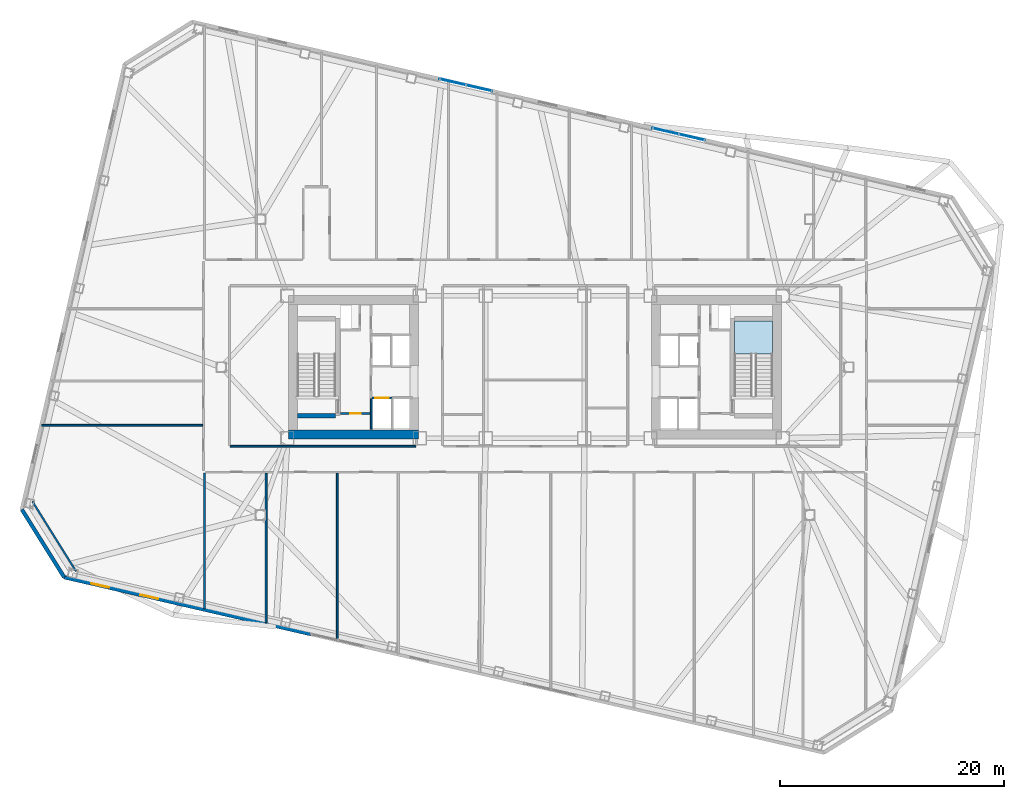
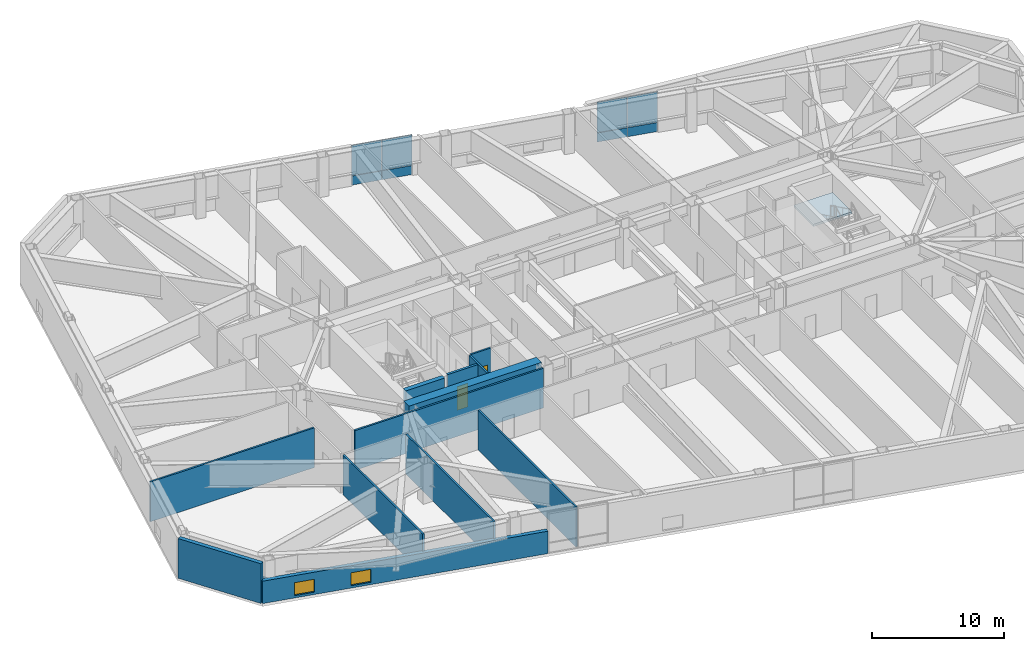
# One storey, part 9 of 19: 13 walls, 8 plates, 2 doors, 2 windows, 1 slab, 4 openings, 3 elements without a shape of their own.
"""IFC4 building model written with IfcOpenShell, lengths in metres."""

from ifc_helpers import new_model, si_unit, direction, frame, frame_2d, origin, origin_2d, place, context, subcontext, project, spatial, polyline, rectangle, outline, extrude, material, layer, layer_set, type_object, element, fill, aggregate, save


model = new_model("IFC4")

# Units and contexts
model_context = context("Model", 3, precision=1e-05, world=origin(), true_north=direction((0.0, 1.0)))
body_context = subcontext(model_context, "Body", "Model", "MODEL_VIEW")
ifc_project = project(units=[si_unit("LENGTHUNIT", "METRE"), si_unit("AREAUNIT", "SQUARE_METRE"), si_unit("VOLUMEUNIT", "CUBIC_METRE"), si_unit("PLANEANGLEUNIT", "RADIAN"), si_unit("MASSUNIT", "GRAM", prefix="KILO")], contexts=[model_context])

# Site, building, storey
site_placement = place(None, origin())
site = spatial("IfcSite", under=ifc_project, at=site_placement, CompositionType="ELEMENT")
building_placement = place(site_placement, origin())
building = spatial("IfcBuilding", under=site, at=building_placement, Name="Tavrogorsk Clinical Tower", CompositionType="ELEMENT")
storey_placement = place(building_placement, frame((0.0, 0.0, 79.39990234375)))
storey = spatial("IfcBuildingStorey", under=building, at=storey_placement, Name="L17", CompositionType="ELEMENT", Elevation=79.39990234375)

# Curtain wall, plates
ifc_material_1 = material(Name="Anodised aluminium and triple IGU glazing", Category="aluminium")
ifc_layer_1 = layer(ifc_material_1, 0.179931640625)
ifc_layer_set_1 = layer_set([ifc_layer_1], Name="Anodised aluminium and triple IGU glazing")
curtain_wall_type = type_object("IfcCurtainWallType", Name="CW2_NorthSlot", PredefinedType="NOTDEFINED", material=ifc_layer_set_1)
curtain_wall_1_placement = place(storey_placement, origin())
curtain_wall_1 = element("IfcCurtainWall", 1, at=curtain_wall_1_placement, inside=storey, type_object=curtain_wall_type, Name="L17 Curtain Wall CW-L17-N-SLOT-1", PredefinedType="NOTDEFINED")
ifc_material_2 = material(Name="Honed Podolsk limestone spandrel panel", Category="masonry")
ifc_layer_2 = layer(ifc_material_2, 0.080078125)
ifc_layer_set_2 = layer_set([ifc_layer_2], Name="Honed Podolsk limestone spandrel panel")
plate_type_1 = type_object("IfcPlateType", Name="CwSpandrelStonePanel_80", PredefinedType="CURTAIN_PANEL", material=ifc_layer_set_2)
plate_1_placement = place(storey_placement, frame((-5.001220703125, 24.8994140625, 0.002197265625), z_axis=(0.0, 0.0, 1.0), x_axis=(-0.974370102963, 0.224950888978, 0.0)))
plate_1 = element("IfcPlate", 2, at=plate_1_placement, type_object=plate_type_1, Name="CW-L17-N-SLOT-1 Stone Spandrel Panel 1", PredefinedType="CURTAIN_PANEL", context=body_context, shape_type="SweptSolid", body=[
    extrude(rectangle(XDim=2.39208984375, YDim=0.080078125, at=origin_2d()), origin(), (0.0, 0.0, 1.0), 0.8359375),
])
plate_2_placement = place(storey_placement, frame((-7.355224609375, 25.44287109375, 0.002197265625), z_axis=(0.0, 0.0, 1.0), x_axis=(-0.974370102963, 0.224950888978, 0.0)))
plate_2 = element("IfcPlate", 3, at=plate_2_placement, type_object=plate_type_1, Name="CW-L17-N-SLOT-1 Stone Spandrel Panel 2", PredefinedType="CURTAIN_PANEL", context=body_context, shape_type="SweptSolid", body=[
    extrude(rectangle(XDim=2.39208984375, YDim=0.080078125, at=origin_2d()), origin(), (0.0, 0.0, 1.0), 0.8359375),
])

curtain_wall_2_placement = place(storey_placement, origin())
curtain_wall_2 = element("IfcCurtainWall", 4, at=curtain_wall_2_placement, inside=storey, type_object=curtain_wall_type, Name="L17 Curtain Wall CW-L17-N-SLOT-2", PredefinedType="NOTDEFINED")
plate_3_placement = place(storey_placement, frame((13.996337890625, 20.513427734375, 0.002197265625), z_axis=(0.0, 0.0, 1.0), x_axis=(-0.974370046851, 0.224951132027, 0.0)))
plate_3 = element("IfcPlate", 5, at=plate_3_placement, type_object=plate_type_1, Name="CW-L17-N-SLOT-2 Stone Spandrel Panel 1", PredefinedType="CURTAIN_PANEL", context=body_context, shape_type="SweptSolid", body=[
    extrude(rectangle(XDim=2.39208984375, YDim=0.080078125, at=origin_2d()), origin(), (0.0, 0.0, 1.0), 0.8359375),
])
plate_4_placement = place(storey_placement, frame((11.642333984375, 21.05712890625, 0.002197265625), z_axis=(0.0, 0.0, 1.0), x_axis=(-0.974370046851, 0.224951132027, 0.0)))
plate_4 = element("IfcPlate", 6, at=plate_4_placement, type_object=plate_type_1, Name="CW-L17-N-SLOT-2 Stone Spandrel Panel 2", PredefinedType="CURTAIN_PANEL", context=body_context, shape_type="SweptSolid", body=[
    extrude(rectangle(XDim=2.39208984375, YDim=0.080078125, at=origin_2d()), origin(), (0.0, 0.0, 1.0), 0.8359375),
])

# Plate
ifc_material_3 = material(Name="Triple low-E argon insulated glass", Category="glass")
ifc_layer_3 = layer(ifc_material_3, 0.048095703125)
ifc_layer_set_3 = layer_set([ifc_layer_3], Name="Triple low-E argon insulated glass")
plate_type_2 = type_object("IfcPlateType", Name="CwVisionGlassPanel_48", PredefinedType="CURTAIN_PANEL", material=ifc_layer_set_3)
plate_5_placement = place(storey_placement, frame((-5.001220703125, 24.8994140625, 0.862060546875), z_axis=(0.0, 0.0, 1.0), x_axis=(-0.974370102963, 0.224950888978, 0.0)))
plate_5 = element("IfcPlate", 7, at=plate_5_placement, type_object=plate_type_2, Name="CW-L17-N-SLOT-1 Glazing Panel 1", PredefinedType="CURTAIN_PANEL", context=body_context, shape_type="SweptSolid", body=[
    extrude(rectangle(XDim=2.39208984375, YDim=0.048095703125, at=origin_2d()), origin(), (0.0, 0.0, 1.0), 2.81591796875),
])

plate_6_placement = place(storey_placement, frame((-7.355224609375, 25.44287109375, 0.862060546875), z_axis=(0.0, 0.0, 1.0), x_axis=(-0.974370102963, 0.224950888978, 0.0)))
plate_6 = element("IfcPlate", 8, at=plate_6_placement, type_object=plate_type_2, Name="CW-L17-N-SLOT-1 Glazing Panel 2", PredefinedType="CURTAIN_PANEL", context=body_context, shape_type="SweptSolid", body=[
    extrude(rectangle(XDim=2.39208984375, YDim=0.048095703125, at=origin_2d()), origin(), (0.0, 0.0, 1.0), 2.81591796875),
])

aggregate(curtain_wall_1, [plate_1, plate_5, plate_2, plate_6])

plate_7_placement = place(storey_placement, frame((13.996337890625, 20.513427734375, 0.862060546875), z_axis=(0.0, 0.0, 1.0), x_axis=(-0.974370046851, 0.224951132027, 0.0)))
plate_7 = element("IfcPlate", 9, at=plate_7_placement, type_object=plate_type_2, Name="CW-L17-N-SLOT-2 Glazing Panel 1", PredefinedType="CURTAIN_PANEL", context=body_context, shape_type="SweptSolid", body=[
    extrude(rectangle(XDim=2.39208984375, YDim=0.048095703125, at=origin_2d()), origin(), (0.0, 0.0, 1.0), 2.81591796875),
])

plate_8_placement = place(storey_placement, frame((11.642333984375, 21.05712890625, 0.862060546875), z_axis=(0.0, 0.0, 1.0), x_axis=(-0.974370046851, 0.224951132027, 0.0)))
plate_8 = element("IfcPlate", 10, at=plate_8_placement, type_object=plate_type_2, Name="CW-L17-N-SLOT-2 Glazing Panel 2", PredefinedType="CURTAIN_PANEL", context=body_context, shape_type="SweptSolid", body=[
    extrude(rectangle(XDim=2.39208984375, YDim=0.048095703125, at=origin_2d()), origin(), (0.0, 0.0, 1.0), 2.81591796875),
])

aggregate(curtain_wall_2, [plate_3, plate_7, plate_4, plate_8])

# Stair, slab
ifc_material_4 = material(Name="Concrete B60", Category="concrete")
stair_type = type_object("IfcStairType", Name="CoreStairAssembly", PredefinedType="HALF_TURN_STAIR", material=ifc_material_4)
stair_placement = place(storey_placement, origin())
stair = element("IfcStair", 11, at=stair_placement, inside=storey, type_object=stair_type, Name="L17 ST-E", PredefinedType="HALF_TURN_STAIR")
ifc_material_5 = material(Name="Concrete B60", Category="concrete")
ifc_layer_4 = layer(ifc_material_5, 0.199951171875)
ifc_layer_set_4 = layer_set([ifc_layer_4], Name="Concrete B60")
slab_type = type_object("IfcSlabType", Name="StairLanding_200", PredefinedType="LANDING", material=ifc_layer_set_4)
slab_placement = place(storey_placement, frame((0.0, 0.0, 1.800048828125)))
slab = element("IfcSlab", 12, at=slab_placement, type_object=slab_type, Name="ST-E landing 1", PredefinedType="LANDING", context=body_context, shape_type="SweptSolid", body=[
    extrude(outline(polyline([(21.199951171875, 1.1650390625), (21.199951171875, 4.125), (17.800048828125, 4.125), (17.800048828125, 1.1650390625), (21.199951171875, 1.1650390625)])), origin(), (0.0, 0.0, 1.0), 0.199951171875),
])
aggregate(stair, [slab])

# Wall, opening, door
ifc_material_6 = material(Name="Concrete B60", Category="concrete")
ifc_layer_5 = layer(ifc_material_6, 0.199951171875)
ifc_layer_set_5 = layer_set([ifc_layer_5], Name="Concrete B60")
wall_type_1 = type_object("IfcWallType", Name="CoreFireWall_200", PredefinedType="SOLIDWALL", material=ifc_layer_set_5)
wall_1_placement = place(storey_placement, frame((-17.3798828125, -4.139892578125, 0.0), z_axis=(0.0, 0.0, 1.0), x_axis=(1.0, 0.0, 0.0)))
wall_1 = element("IfcWall", 13, at=wall_1_placement, inside=storey, type_object=wall_type_1, Name="L17 Core West South Core Room Fire Wall", PredefinedType="SOLIDWALL", context=body_context, shape_type="SweptSolid", body=[
    extrude(rectangle(XDim=2.659912109375, YDim=0.199951171875, at=frame_2d((1.330078125, 0.0))), origin(), (0.0, 0.0, 1.0), 3.68017578125),
])
opening_1_placement = place(wall_1_placement, frame((0.8798828125, 0.0, 0.0)))
opening_1 = element("IfcOpeningElement", 14, at=opening_1_placement, cuts=wall_1, Name="Opening ID-02", PredefinedType="OPENING", context=body_context, shape_type="SweptSolid", body=[
    extrude(rectangle(XDim=0.949951171875, YDim=2.199951171875, at=frame_2d((0.47509765625, 1.10009765625))), frame((0.0, 0.10986328125, 0.0), z_axis=(0.0, -1.0, 0.0), x_axis=(1.0, 0.0, 0.0)), (0.0, 0.0, 1.0), 0.219970703125),
])
ifc_material_7 = material(Name="Laminated timber leaf on aluminium frame", Category="wood")
door_type_1 = type_object("IfcDoorType", Name="InteriorDoor_ID02_950", OperationType="NOTDEFINED", PredefinedType="DOOR", material=ifc_material_7)
door_1_placement = place(opening_1_placement, origin())
door_1 = element("IfcDoor", 15, at=door_1_placement, inside=storey, type_object=door_type_1, Name="L17 Core West South Core Room Door", OperationType="SINGLE_SWING_RIGHT", OverallHeight=2.199951171875, OverallWidth=0.949951171875, PredefinedType="DOOR", context=body_context, shape_type="SweptSolid", body=[
    extrude(rectangle(XDim=0.949951171875, YDim=2.199951171875, at=frame_2d((0.47509765625, 1.10009765625))), frame((0.0, 0.02490234375, 0.0), z_axis=(0.0, -1.0, 0.0), x_axis=(1.0, 0.0, 0.0)), (0.0, 0.0, 1.0), 0.050048828125),
])
fill(opening_1, door_1)

# Walls
ifc_material_8 = material(Name="Lightweight concrete blockwork B15", Category="masonry")
ifc_layer_6 = layer(ifc_material_8, 0.159912109375)
ifc_layer_set_6 = layer_set([ifc_layer_6], Name="Lightweight concrete blockwork B15")
wall_type_2 = type_object("IfcWallType", Name="PartitionWall_160", PredefinedType="PARTITIONING", material=ifc_layer_set_6)
wall_2_placement = place(storey_placement, frame((-44.85986328125, -11.9892578125, 0.0), z_axis=(0.0, 0.0, 1.0), x_axis=(0.52991239767, -0.848052386823, 0.0)))
element("IfcWall", 16, at=wall_2_placement, inside=storey, type_object=wall_type_2, Name="L17 Corner Exoskeleton Brace Furring Wall 4", PredefinedType="PARTITIONING", context=body_context, shape_type="SweptSolid", body=[
    extrude(rectangle(XDim=7.35400390625, YDim=0.159912109375, at=frame_2d((3.677001953125, 0.0))), origin(), (0.0, 0.0, 1.0), 1.47509765625),
])
wall_3_placement = place(storey_placement, frame((-27.18505859375, -7.070068359375, 0.0), z_axis=(0.0, 0.0, 1.0), x_axis=(1.0, 0.0, 0.0)))
element("IfcWall", 17, at=wall_3_placement, inside=storey, type_object=wall_type_2, Name="L17 Corridor Partition 22", PredefinedType="PARTITIONING", context=body_context, shape_type="SweptSolid", body=[
    extrude(rectangle(XDim=16.52001953125, YDim=0.159912109375, at=frame_2d((8.260009765625, 0.0))), origin(), (0.0, 0.0, 1.0), 3.68017578125),
])
wall_4_placement = place(storey_placement, frame((-29.5, -21.570556640625, 0.0), z_axis=(0.0, 0.0, 1.0), x_axis=(0.0, 1.0, 0.0)))
element("IfcWall", 18, at=wall_4_placement, inside=storey, type_object=wall_type_2, Name="L17 SW Wing Closure Partition", PredefinedType="PARTITIONING", context=body_context, shape_type="SweptSolid", body=[
    extrude(rectangle(XDim=12.10546875, YDim=0.159912109375, at=frame_2d((6.052734375, 0.0))), origin(), (0.0, 0.0, 1.0), 3.68017578125),
])
wall_5_placement = place(storey_placement, frame((-24.0, -22.84033203125, 0.0), z_axis=(0.0, 0.0, 1.0), x_axis=(0.0, 1.0, 0.0)))
element("IfcWall", 19, at=wall_5_placement, inside=storey, type_object=wall_type_2, Name="L17 South Room Partition 1", PredefinedType="PARTITIONING", context=body_context, shape_type="SweptSolid", body=[
    extrude(rectangle(XDim=13.375244140625, YDim=0.159912109375, at=frame_2d((6.6875, 0.0))), origin(), (0.0, 0.0, 1.0), 3.68017578125),
])
wall_6_placement = place(storey_placement, frame((-17.64990234375, -24.306396484375, 0.0), z_axis=(0.0, 0.0, 1.0), x_axis=(0.0, 1.0, 0.0)))
element("IfcWall", 20, at=wall_6_placement, inside=storey, type_object=wall_type_2, Name="L17 South Sub-Partition 2", PredefinedType="PARTITIONING", context=body_context, shape_type="SweptSolid", body=[
    extrude(rectangle(XDim=14.84130859375, YDim=0.159912109375, at=frame_2d((7.420654296875, 0.0))), origin(), (0.0, 0.0, 1.0), 3.68017578125),
])
wall_7_placement = place(storey_placement, frame((-44.0419921875, -5.199951171875, 0.0), z_axis=(0.0, 0.0, 1.0), x_axis=(1.0, 0.0, 0.0)))
element("IfcWall", 21, at=wall_7_placement, inside=storey, type_object=wall_type_2, Name="L17 W Wing Divider 1", PredefinedType="PARTITIONING", context=body_context, shape_type="SweptSolid", body=[
    extrude(rectangle(XDim=14.376953125, YDim=0.159912109375, at=frame_2d((7.1884765625, 0.0))), origin(), (0.0, 0.0, 1.0), 3.68017578125),
])

# Wall, openings, windows
ifc_material_9 = material(Name="Precast concrete B45 with limestone cladding", Category="masonry")
ifc_layer_7 = layer(ifc_material_9, 0.340087890625)
ifc_layer_set_7 = layer_set([ifc_layer_7], Name="Precast concrete B45 with limestone cladding")
wall_type_3 = type_object("IfcWallType", Name="PrecastLimestoneWall_340", PredefinedType="STANDARD", material=ifc_layer_set_7)
wall_8_placement = place(storey_placement, frame((-42.028564453125, -18.75, 0.0), z_axis=(0.0, 0.0, 1.0), x_axis=(0.97436993772, -0.224951604723, 0.0)))
wall_8 = element("IfcWall", 22, at=wall_8_placement, inside=storey, type_object=wall_type_3, Name="L17 S Limestone Facade Wall 1", PredefinedType="STANDARD", context=body_context, shape_type="SweptSolid", body=[
    extrude(rectangle(XDim=22.6513671875, YDim=0.340087890625, at=frame_2d((11.32568359375, 0.0))), origin(), (0.0, 0.0, 1.0), 2.0751953125),
])
opening_2_placement = place(wall_8_placement, frame((2.51220703125, 0.0, 0.219970703125)))
opening_2 = element("IfcOpeningElement", 23, at=opening_2_placement, cuts=wall_8, Name="Opening WN-09", PredefinedType="OPENING", context=body_context, shape_type="SweptSolid", body=[
    extrude(rectangle(XDim=1.60009765625, YDim=1.199951171875, at=frame_2d((0.800048828125, 0.60009765625))), frame((0.0, 0.179931640625, 0.0), z_axis=(0.0, -1.0, 0.0), x_axis=(1.0, 0.0, 0.0)), (0.0, 0.0, 1.0), 0.360107421875),
])
opening_3_placement = place(wall_8_placement, frame((6.99658203125, 0.0, 0.219970703125)))
opening_3 = element("IfcOpeningElement", 24, at=opening_3_placement, cuts=wall_8, Name="Opening WN-09", PredefinedType="OPENING", context=body_context, shape_type="SweptSolid", body=[
    extrude(rectangle(XDim=1.60009765625, YDim=1.199951171875, at=frame_2d((0.800048828125, 0.60009765625))), frame((0.0, 0.179931640625, 0.0), z_axis=(0.0, -1.0, 0.0), x_axis=(1.0, 0.0, 0.0)), (0.0, 0.0, 1.0), 0.360107421875),
])
ifc_material_10 = material(Name="Thermally broken aluminium frame and triple IGU", Category="aluminium")
window_type = type_object("IfcWindowType", Name="LowHeadTransWin_1600x1200", PartitioningType="DOUBLE_PANEL_VERTICAL", PredefinedType="WINDOW", material=ifc_material_10)
window_1_placement = place(opening_2_placement, origin())
window_1 = element("IfcWindow", 25, at=window_1_placement, inside=storey, type_object=window_type, Name="L17 S Chicago Window 01", OverallHeight=1.199951171875, OverallWidth=1.60009765625, PartitioningType="SINGLE_PANEL", PredefinedType="WINDOW", context=body_context, shape_type="SweptSolid", body=[
    extrude(rectangle(XDim=1.60009765625, YDim=1.199951171875, at=frame_2d((0.800048828125, 0.60009765625))), frame((0.0, 0.030029296875, 0.0), z_axis=(0.0, -1.0, 0.0), x_axis=(1.0, 0.0, 0.0)), (0.0, 0.0, 1.0), 0.06005859375),
])
fill(opening_2, window_1)
window_2_placement = place(opening_3_placement, origin())
window_2 = element("IfcWindow", 26, at=window_2_placement, inside=storey, type_object=window_type, Name="L17 S Chicago Window 02", OverallHeight=1.199951171875, OverallWidth=1.60009765625, PartitioningType="SINGLE_PANEL", PredefinedType="WINDOW", context=body_context, shape_type="SweptSolid", body=[
    extrude(rectangle(XDim=1.60009765625, YDim=1.199951171875, at=frame_2d((0.800048828125, 0.60009765625))), frame((0.0, 0.030029296875, 0.0), z_axis=(0.0, -1.0, 0.0), x_axis=(1.0, 0.0, 0.0)), (0.0, 0.0, 1.0), 0.06005859375),
])
fill(opening_3, window_2)

# Wall
wall_9_placement = place(storey_placement, frame((-45.798095703125, -12.71728515625, 0.0), z_axis=(0.0, 0.0, 1.0), x_axis=(0.529906387556, -0.848056142261, 0.0)))
element("IfcWall", 27, at=wall_9_placement, inside=storey, type_object=wall_type_3, Name="L17 Chamfered Corner Wall 4", PredefinedType="STANDARD", context=body_context, shape_type="SweptSolid", body=[
    extrude(rectangle(XDim=7.113525390625, YDim=0.340087890625, at=frame_2d((3.556640625, 0.0))), origin(), (0.0, 0.0, 1.0), 3.68017578125),
])

# Wall, opening, door
ifc_material_11 = material(Name="Lightweight concrete blockwork B25", Category="masonry")
ifc_layer_8 = layer(ifc_material_11, 0.159912109375)
ifc_layer_set_8 = layer_set([ifc_layer_8], Name="Lightweight concrete blockwork B25")
wall_type_4 = type_object("IfcWallType", Name="ShaftWall_160", PredefinedType="PARTITIONING", material=ifc_layer_set_8)
wall_10_placement = place(storey_placement, frame((-14.530029296875, -2.75, 0.0), z_axis=(0.0, 0.0, 1.0), x_axis=(1.0, 0.0, 0.0)))
wall_10 = element("IfcWall", 28, at=wall_10_placement, inside=storey, type_object=wall_type_4, Name="L17 LP-L1 Lift Shaft Portal Wall", PredefinedType="PARTITIONING", context=body_context, shape_type="SweptSolid", body=[
    extrude(rectangle(XDim=1.760009765625, YDim=0.159912109375, at=frame_2d((0.8798828125, 0.0))), origin(), (0.0, 0.0, 1.0), 3.68017578125),
])
opening_4_placement = place(wall_10_placement, frame((0.280029296875, 0.0, 0.0)))
opening_4 = element("IfcOpeningElement", 29, at=opening_4_placement, cuts=wall_10, Name="Opening LD", PredefinedType="OPENING", context=body_context, shape_type="SweptSolid", body=[
    extrude(rectangle(XDim=1.199951171875, YDim=2.199951171875, at=frame_2d((0.60009765625, 1.10009765625))), frame((0.0, 0.08984375, 0.0), z_axis=(0.0, -1.0, 0.0), x_axis=(1.0, 0.0, 0.0)), (0.0, 0.0, 1.0), 0.179931640625),
])
ifc_material_12 = material(Name="Brushed stainless steel AISI 304 sliding doors", Category="steel")
door_type_2 = type_object("IfcDoorType", Name="LiftLandingDoor_LD_1200", OperationType="SLIDING_TO_LEFT", PredefinedType="DOOR", material=ifc_material_12)
door_2_placement = place(opening_4_placement, origin())
door_2 = element("IfcDoor", 30, at=door_2_placement, inside=storey, type_object=door_type_2, Name="L17 LP-L1 Sliding Lift Landing Door", OperationType="SLIDING_TO_LEFT", OverallHeight=2.199951171875, OverallWidth=1.199951171875, PredefinedType="DOOR", context=body_context, shape_type="SweptSolid", body=[
    extrude(rectangle(XDim=1.199951171875, YDim=2.199951171875, at=frame_2d((0.60009765625, 1.10009765625))), frame((0.0, 0.02490234375, 0.0), z_axis=(0.0, -1.0, 0.0), x_axis=(1.0, 0.0, 0.0)), (0.0, 0.0, 1.0), 0.050048828125),
])
fill(opening_4, door_2)

# Walls
wall_11_placement = place(storey_placement, frame((-14.610107421875, -5.5400390625, 0.0), z_axis=(0.0, 0.0, 1.0), x_axis=(0.0, 1.0, 0.0)))
element("IfcWall", 31, at=wall_11_placement, inside=storey, type_object=wall_type_4, Name="L17 LP-L1 Lift Hoistway Outer Cheek Wall", PredefinedType="PARTITIONING", context=body_context, shape_type="SweptSolid", body=[
    extrude(rectangle(XDim=2.699951171875, YDim=0.159912109375, at=frame_2d((1.35009765625, 0.0))), origin(), (0.0, 0.0, 1.0), 3.68017578125),
])
ifc_material_13 = material(Name="Concrete B80", Category="concrete")
ifc_layer_9 = layer(ifc_material_13, 0.39990234375)
ifc_layer_set_9 = layer_set([ifc_layer_9], Name="Concrete B80")
wall_type_5 = type_object("IfcWallType", Name="ShearWall_400", PredefinedType="SHEAR", material=ifc_layer_set_9)
wall_12_placement = place(storey_placement, frame((-21.199951171875, -4.324951171875, 0.0), z_axis=(0.0, 0.0, 1.0), x_axis=(1.0, 0.0, 0.0)))
element("IfcWall", 32, at=wall_12_placement, inside=storey, type_object=wall_type_5, Name="L17 Core West Stair Shaft South Shear Wall", PredefinedType="SHEAR", context=body_context, shape_type="SweptSolid", body=[
    extrude(rectangle(XDim=3.39990234375, YDim=0.39990234375, at=frame_2d((1.699951171875, 0.0))), origin(), (0.0, 0.0, 1.0), 3.68017578125),
])
ifc_material_14 = material(Name="Concrete B80", Category="concrete")
ifc_layer_10 = layer(ifc_material_14, 0.800048828125)
ifc_layer_set_10 = layer_set([ifc_layer_10], Name="Concrete B80")
wall_type_6 = type_object("IfcWallType", Name="ShearWall_800", PredefinedType="SHEAR", material=ifc_layer_set_10)
wall_13_placement = place(storey_placement, frame((-22.0, -6.0, 0.0), z_axis=(0.0, 0.0, 1.0), x_axis=(1.0, 0.0, 0.0)))
element("IfcWall", 33, at=wall_13_placement, inside=storey, type_object=wall_type_6, Name="L17 Core West South Shear Wall", PredefinedType="SHEAR", context=body_context, shape_type="SweptSolid", body=[
    extrude(rectangle(XDim=11.60009765625, YDim=0.800048828125, at=frame_2d((5.800048828125, 0.0))), origin(), (0.0, 0.0, 1.0), 3.68017578125),
])

save(model, "model.ifc")
